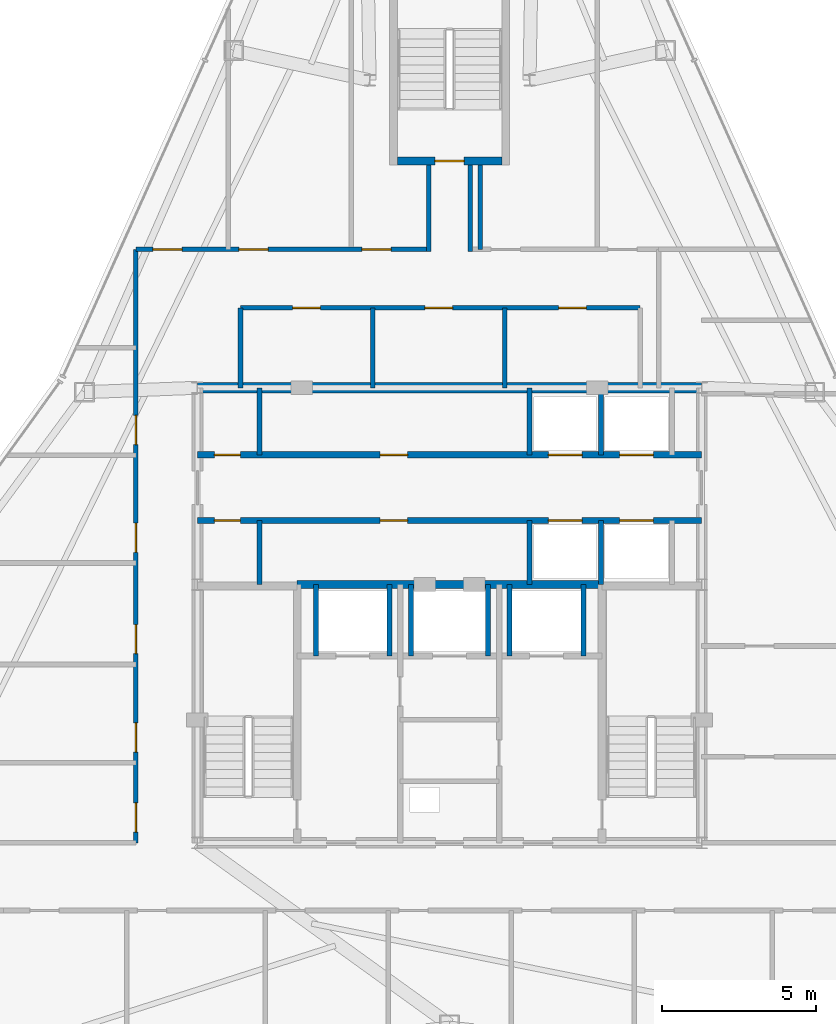
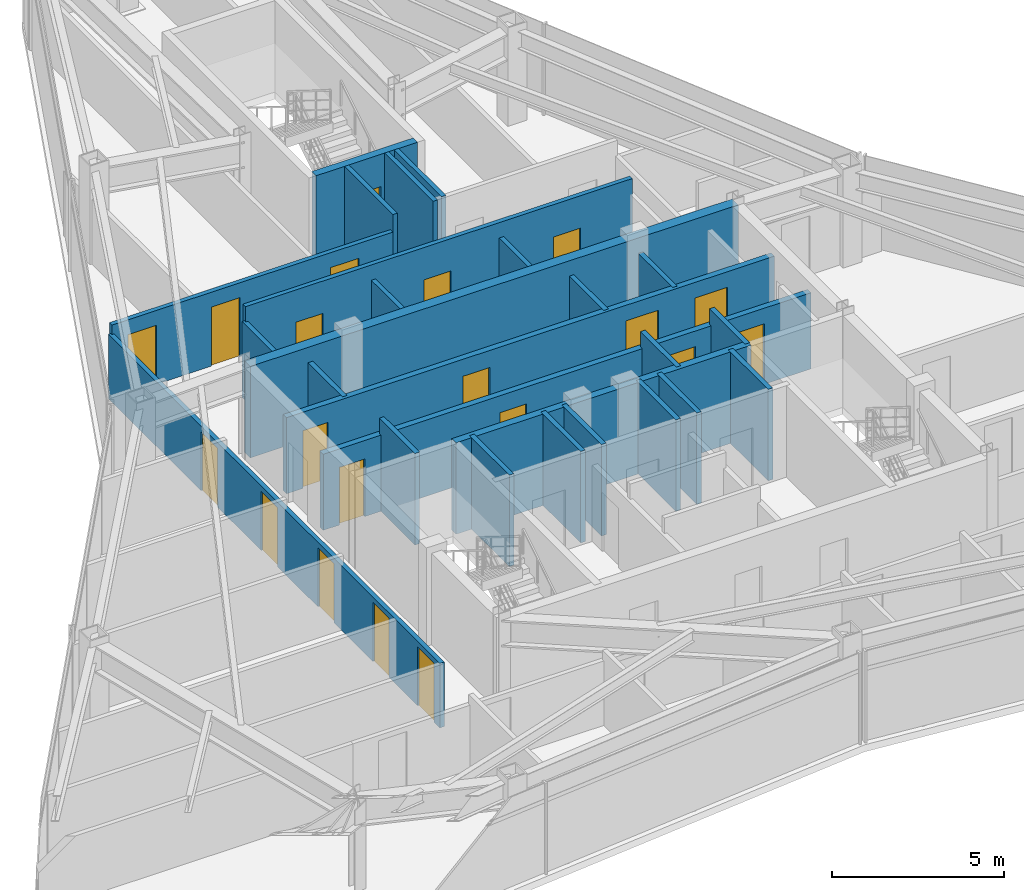
# One storey, part 10 of 12: 26 walls, 20 doors, 20 openings.
"""IFC4 building model written with IfcOpenShell, lengths in metres."""

import ifcopenshell
import ifcopenshell.guid

model = None  # the IFC model being written
_history = None  # IfcOwnerHistory: only IFC2X3 demands one
_inside = {}  # id of a spatial element -> (the spatial element, [elements in it])
_under = {}  # id of a project, library or spatial element -> (it, [spatial elements below it])
_declared = {}  # id of a project -> (the project, [libraries it declares])
_typed = {}  # id of a type object -> (the type object, [elements of that type])
_made_of = {}  # id of a material, layer set ... -> (it, [elements and type objects made of it])


def new_model(schema):
    """Start an empty IFC model of exactly this schema.

    Asked for "IFC4X3", IfcOpenShell would pick the latest addendum, in which some entities
    have other attributes; the version numbers below select the first issue.
    IFC2X3 requires an IfcOwnerHistory on every rooted entity: one is made here for all.
    """
    global model, _history
    if schema == "IFC4X3":
        model = ifcopenshell.file(schema_version=(4, 3, 0, 0))
    else:
        model = ifcopenshell.file(schema=schema)
    _inside.clear()
    _under.clear()
    _declared.clear()
    _typed.clear()
    _made_of.clear()
    _history = None
    if model.schema == "IFC2X3":
        org = make("IfcOrganization", Name="unknown")
        user = make(
            "IfcPersonAndOrganization",
            ThePerson=make("IfcPerson", FamilyName="unknown"),
            TheOrganization=org,
        )
        app = make(
            "IfcApplication",
            ApplicationDeveloper=org,
            Version="unknown",
            ApplicationFullName="unknown",
            ApplicationIdentifier="unknown",
        )
        _history = make(
            "IfcOwnerHistory",
            OwningUser=user,
            OwningApplication=app,
            ChangeAction="ADDED",
            CreationDate=0,
        )
    return model


def make(cls, **values):
    """One entity of the class cls with the attributes given. An attribute that is None is left unset."""
    return model.create_entity(
        cls, **{name: value for name, value in values.items() if value is not None}
    )


def rooted(cls, **values):
    """An entity with a GlobalId (a new one), such as an element, a storey or a relation."""
    return make(cls, GlobalId=ifcopenshell.guid.new(), OwnerHistory=_history, **values)


def si_unit(unit_type, name, prefix=None):
    """IfcSIUnit, for example si_unit("LENGTHUNIT", "METRE", prefix="MILLI")."""
    return make("IfcSIUnit", UnitType=unit_type, Prefix=prefix, Name=name)


def assignment(units):
    """IfcUnitAssignment: the units of a project."""
    return None if units is None else make("IfcUnitAssignment", Units=units)


def point(xyz):
    """IfcCartesianPoint."""
    return None if xyz is None else make("IfcCartesianPoint", Coordinates=xyz)


def direction(xyz):
    """IfcDirection."""
    return None if xyz is None else make("IfcDirection", DirectionRatios=xyz)


def frame(location, z_axis=None, x_axis=None):
    """IfcAxis2Placement3D, a coordinate frame: its origin and axes. An axis left out is left unset."""
    return make(
        "IfcAxis2Placement3D",
        Location=point(location),
        Axis=direction(z_axis),
        RefDirection=direction(x_axis),
    )


def frame_2d(location, x_axis=None):
    """IfcAxis2Placement2D, a coordinate frame in the plane: its origin and x axis."""
    return make(
        "IfcAxis2Placement2D", Location=point(location), RefDirection=direction(x_axis)
    )


def origin():
    """The frame at (0, 0, 0) with its axes left unset."""
    return frame((0.0, 0.0, 0.0))


def place(relative_to, where):
    """IfcLocalPlacement: puts the frame where relative to a parent placement (None: the world)."""
    return make(
        "IfcLocalPlacement", PlacementRelTo=relative_to, RelativePlacement=where
    )


def context(
    kind, dimensions, precision=None, world=None, true_north=None, identifier=None
):
    """IfcGeometricRepresentationContext, for example the 3D "Model" context."""
    return make(
        "IfcGeometricRepresentationContext",
        ContextIdentifier=identifier,
        ContextType=kind,
        CoordinateSpaceDimension=dimensions,
        Precision=precision,
        WorldCoordinateSystem=world,
        TrueNorth=true_north,
    )


def subcontext(parent, identifier, kind, view, scale=None):
    """IfcGeometricRepresentationSubContext, for example "Body" below "Model"."""
    return make(
        "IfcGeometricRepresentationSubContext",
        ContextIdentifier=identifier,
        ContextType=kind,
        ParentContext=parent,
        TargetScale=scale,
        TargetView=view,
    )


def project(units=None, contexts=None):
    """IfcProject with its units and contexts."""
    return rooted(
        "IfcProject",
        Name="project",
        RepresentationContexts=contexts,
        UnitsInContext=assignment(units),
    )


def spatial(cls, under=None, at=None, **own):
    """A site, building, storey or space (cls), placed at a placement, below another one or the project."""
    s = rooted(cls, ObjectPlacement=at, **own)
    if under is not None:
        _under.setdefault(under.id(), (under, []))[1].append(s)
    return s


def profile(cls, at=None, kind="AREA", **sizes):
    """A parametric profile (cls). Its sizes go by their IFC names, for example OverallWidth=200.0."""
    return make(cls, ProfileType=kind, Position=at, **sizes)


def rectangle(**sizes):
    """IfcRectangleProfileDef."""
    return profile("IfcRectangleProfileDef", **sizes)


def extrude(swept, where, along, depth):
    """IfcExtrudedAreaSolid: the profile swept, set in the frame where, extruded along a direction by depth."""
    return make(
        "IfcExtrudedAreaSolid",
        SweptArea=swept,
        Position=where,
        ExtrudedDirection=direction(along),
        Depth=depth,
    )


def shape(context_of_items, identifier, shape_type, items):
    """IfcShapeRepresentation: the items that make up one representation, for example the "Body"."""
    return make(
        "IfcShapeRepresentation",
        ContextOfItems=context_of_items,
        RepresentationIdentifier=identifier,
        RepresentationType=shape_type,
        Items=items,
    )


def material(Name=None, Category=None):
    """IfcMaterial."""
    return make("IfcMaterial", Name=Name, Category=Category)


def layer(
    of_material, thickness, ventilated=None, Name=None, Category=None, Priority=None
):
    """IfcMaterialLayer: one layer of a wall or slab, of a material (None: an air gap)."""
    return make(
        "IfcMaterialLayer",
        Material=of_material,
        LayerThickness=thickness,
        IsVentilated=ventilated,
        Name=Name,
        Category=Category,
        Priority=Priority,
    )


def layer_set(layers, Name=None):
    """IfcMaterialLayerSet."""
    return make("IfcMaterialLayerSet", MaterialLayers=layers, LayerSetName=Name)


def made_of(thing, what):
    """Note that an element or type object is made of a material, layer set ...; save() writes the relation."""
    if what is not None:
        _made_of.setdefault(what.id(), (what, []))[1].append(thing)
    return thing


def type_object(cls, material=None, **own):
    """A type object (cls), such as IfcWallType, which elements share."""
    return made_of(rooted(cls, **own), material)


def element(
    cls,
    number,
    at=None,
    inside=None,
    cuts=None,
    type_object=None,
    material=None,
    context=None,
    identifier="Body",
    shape_type=None,
    held_by="IfcProductDefinitionShape",
    body=None,
    shapes=None,
    **own,
):
    """One element of the class cls, such as IfcWall. Its Tag is "e" and its number.

    at: its placement. inside: the storey or other place that contains it. cuts: it is an
    opening in that element (IfcRelVoidsElement). A single representation is given by context,
    identifier, shape_type and body (its items); several are given by shapes. held_by: the class
    of the entity that holds the representations. save() writes the other relations.
    """
    e = rooted(cls, Tag="e%d" % number, ObjectPlacement=at, **own)
    if body is not None:
        shapes = [shape(context, identifier, shape_type, body)]
    if shapes is not None:
        e.Representation = make(held_by, Representations=shapes)
    if inside is not None:
        _inside.setdefault(inside.id(), (inside, []))[1].append(e)
    if cuts is not None:
        rooted(
            "IfcRelVoidsElement", RelatingBuildingElement=cuts, RelatedOpeningElement=e
        )
    if type_object is not None:
        _typed.setdefault(type_object.id(), (type_object, []))[1].append(e)
    return made_of(e, material)


def fill(opening, filler):
    """IfcRelFillsElement: the door or window that sits in an opening."""
    return rooted(
        "IfcRelFillsElement",
        RelatingOpeningElement=opening,
        RelatedBuildingElement=filler,
    )


def aggregate(whole, parts):
    """IfcRelAggregates: a whole, such as a stair, and the parts it consists of."""
    return rooted("IfcRelAggregates", RelatingObject=whole, RelatedObjects=parts)


def save(model, path):
    """Write the relations noted so far, then the file.

    IfcRelAggregates (storeys below a building ...), IfcRelContainedInSpatialStructure (elements
    in a storey), IfcRelDefinesByType, IfcRelAssociatesMaterial and IfcRelDeclares: one each for
    every whole, place, type object, material and project.
    """
    for whole, parts in _under.values():
        aggregate(whole, parts)
    for where, things in _inside.values():
        rooted(
            "IfcRelContainedInSpatialStructure",
            RelatedElements=things,
            RelatingStructure=where,
        )
    for kind, things in _typed.values():
        rooted("IfcRelDefinesByType", RelatedObjects=things, RelatingType=kind)
    for what, things in _made_of.values():
        rooted("IfcRelAssociatesMaterial", RelatedObjects=things, RelatingMaterial=what)
    for by, libraries in _declared.values():
        rooted("IfcRelDeclares", RelatingContext=by, RelatedDefinitions=libraries)
    model.write(path)


model = new_model("IFC4")

# Units and contexts
model_context = context("Model", 3, precision=1e-05, world=origin(), true_north=direction((0.0, 1.0)))
body_context = subcontext(model_context, "Body", "Model", "MODEL_VIEW")
ifc_project = project(units=[si_unit("LENGTHUNIT", "METRE"), si_unit("AREAUNIT", "SQUARE_METRE"), si_unit("VOLUMEUNIT", "CUBIC_METRE"), si_unit("PLANEANGLEUNIT", "RADIAN"), si_unit("MASSUNIT", "GRAM", prefix="KILO")], contexts=[model_context])

# Site, building, storey
site_placement = place(None, origin())
site = spatial("IfcSite", under=ifc_project, at=site_placement, CompositionType="ELEMENT")
building_placement = place(site_placement, origin())
building = spatial("IfcBuilding", under=site, at=building_placement, Name="Varakhsha Concourse Tower", CompositionType="ELEMENT")
storey_placement = place(building_placement, frame((0.0, 0.0, 258.5)))
storey = spatial("IfcBuildingStorey", under=building, at=storey_placement, Name="L73", CompositionType="ELEMENT", Elevation=258.5)

# Wall
ifc_material_1 = material(Name="Concrete fc 65 MPa", Category="concrete")
ifc_layer_1 = layer(ifc_material_1, 0.35009765625, Name="WL-CORE-350")
ifc_layer_set_1 = layer_set([ifc_layer_1], Name="Concrete fc 65 MPa")
wall_type_1 = type_object("IfcWallType", Name="WL-CORE-350", PredefinedType="SHEAR", material=ifc_layer_set_1)
wall_1_placement = place(storey_placement, frame((31.800048828125, 31.199951171875, 0.0), z_axis=(0.0, 0.0, 1.0), x_axis=(1.0, 0.0, 0.0)))
element("IfcWall", 1, at=wall_1_placement, inside=storey, type_object=wall_type_1, Name="L73 Wall CWALL-N-L73", PredefinedType="SHEAR", context=body_context, shape_type="SweptSolid", body=[
    extrude(rectangle(XDim=16.39990234375, YDim=0.35009765625, at=frame_2d((8.199951171875, 0.0))), origin(), (0.0, 0.0, 1.0), 3.25),
])

# Wall, openings, doors
ifc_material_2 = material(Name="Fire-Rated Type X Gypsum Partition Assembly", Category="gypsum")
ifc_layer_2 = layer(ifc_material_2, 0.14990234375, Name="WL-PART-150")
ifc_layer_set_2 = layer_set([ifc_layer_2], Name="Fire-Rated Type X Gypsum Partition Assembly")
wall_type_2 = type_object("IfcWallType", Name="WL-PART-150", PredefinedType="PARTITIONING", material=ifc_layer_set_2)
wall_2_placement = place(storey_placement, frame((33.199951171875, 33.800048828125, 0.0), z_axis=(0.0, 0.0, 1.0), x_axis=(1.0, 0.0, 0.0)))
wall_2 = element("IfcWall", 2, at=wall_2_placement, inside=storey, type_object=wall_type_2, Name="L73 Wall NBOH-N-L73", PredefinedType="PARTITIONING", context=body_context, shape_type="SweptSolid", body=[
    extrude(rectangle(XDim=13.0, YDim=0.14990234375, at=frame_2d((6.5, 0.0))), origin(), (0.0, 0.0, 1.0), 3.25),
])
opening_1_placement = place(wall_2_placement, frame((1.699951171875, 0.0, 0.0)))
opening_1 = element("IfcOpeningElement", 3, at=opening_1_placement, cuts=wall_2, Name="Opening DF-06", PredefinedType="OPENING", context=body_context, shape_type="SweptSolid", body=[
    extrude(rectangle(XDim=0.89990234375, YDim=2.10009765625, at=frame_2d((0.449951171875, 1.050048828125))), frame((0.0, 0.0849609375, 0.0), z_axis=(0.0, -1.0, 0.0), x_axis=(1.0, 0.0, 0.0)), (0.0, 0.0, 1.0), 0.169921875),
])
opening_2_placement = place(wall_2_placement, frame((6.0, 0.0, 0.0)))
opening_2 = element("IfcOpeningElement", 4, at=opening_2_placement, cuts=wall_2, Name="Opening DF-06", PredefinedType="OPENING", context=body_context, shape_type="SweptSolid", body=[
    extrude(rectangle(XDim=0.89990234375, YDim=2.10009765625, at=frame_2d((0.449951171875, 1.050048828125))), frame((0.0, 0.0849609375, 0.0), z_axis=(0.0, -1.0, 0.0), x_axis=(1.0, 0.0, 0.0)), (0.0, 0.0, 1.0), 0.169921875),
])
opening_3_placement = place(wall_2_placement, frame((10.35009765625, 0.0, 0.0)))
opening_3 = element("IfcOpeningElement", 5, at=opening_3_placement, cuts=wall_2, Name="Opening DF-06", PredefinedType="OPENING", context=body_context, shape_type="SweptSolid", body=[
    extrude(rectangle(XDim=0.89990234375, YDim=2.10009765625, at=frame_2d((0.449951171875, 1.050048828125))), frame((0.0, 0.0849609375, 0.0), z_axis=(0.0, -1.0, 0.0), x_axis=(1.0, 0.0, 0.0)), (0.0, 0.0, 1.0), 0.169921875),
])
ifc_material_3 = material(Name="Hollow Galvanised Steel Fire Door Assembly", Category="steel")
door_type_1 = type_object("IfcDoorType", Name="DR-FD60-900", OperationType="NOTDEFINED", PredefinedType="DOOR", material=ifc_material_3)
door_1_placement = place(opening_1_placement, origin())
door_1 = element("IfcDoor", 6, at=door_1_placement, inside=storey, type_object=door_type_1, Name="L73 Men Restroom WC Door", OperationType="SINGLE_SWING_LEFT", OverallHeight=2.10009765625, OverallWidth=0.89990234375, PredefinedType="DOOR", context=body_context, shape_type="SweptSolid", body=[
    extrude(rectangle(XDim=0.89990234375, YDim=2.10009765625, at=frame_2d((0.449951171875, 1.050048828125))), frame((0.0, 0.02490234375, 0.0), z_axis=(0.0, -1.0, 0.0), x_axis=(1.0, 0.0, 0.0)), (0.0, 0.0, 1.0), 0.050048828125),
])
fill(opening_1, door_1)
door_2_placement = place(opening_2_placement, origin())
door_2 = element("IfcDoor", 7, at=door_2_placement, inside=storey, type_object=door_type_1, Name="L73 Women Restroom WC Door", OperationType="SINGLE_SWING_RIGHT", OverallHeight=2.10009765625, OverallWidth=0.89990234375, PredefinedType="DOOR", context=body_context, shape_type="SweptSolid", body=[
    extrude(rectangle(XDim=0.89990234375, YDim=2.10009765625, at=frame_2d((0.449951171875, 1.050048828125))), frame((0.0, 0.02490234375, 0.0), z_axis=(0.0, -1.0, 0.0), x_axis=(1.0, 0.0, 0.0)), (0.0, 0.0, 1.0), 0.050048828125),
])
fill(opening_2, door_2)
door_3_placement = place(opening_3_placement, origin())
door_3 = element("IfcDoor", 8, at=door_3_placement, inside=storey, type_object=door_type_1, Name="L73 Accessible WC Door", OperationType="SINGLE_SWING_LEFT", OverallHeight=2.10009765625, OverallWidth=0.89990234375, PredefinedType="DOOR", context=body_context, shape_type="SweptSolid", body=[
    extrude(rectangle(XDim=0.89990234375, YDim=2.10009765625, at=frame_2d((0.449951171875, 1.050048828125))), frame((0.0, 0.02490234375, 0.0), z_axis=(0.0, -1.0, 0.0), x_axis=(1.0, 0.0, 0.0)), (0.0, 0.0, 1.0), 0.050048828125),
])
fill(opening_3, door_3)

# Walls
for number, where, z_axis, x_axis, name in (
    (9, (33.199951171875, 31.199951171875, 0.0), (0.0, 0.0, 1.0), (0.0, 1.0, 0.0), "L73 Wall NBOH-W-L73"),
    (10, (37.5, 31.199951171875, 0.0), (0.0, 0.0, 1.0), (0.0, 1.0, 0.0), "L73 Wall NBOH-D1-L73"),
    (11, (41.800048828125, 31.199951171875, 0.0), (0.0, 0.0, 1.0), (0.0, 1.0, 0.0), "L73 Wall NBOH-D2-L73"),
):
    element("IfcWall", number, at=place(storey_placement, frame(where, z_axis=z_axis, x_axis=x_axis)), inside=storey, type_object=wall_type_2, Name=name, PredefinedType="PARTITIONING", context=body_context, shape_type="SweptSolid", body=[
        extrude(rectangle(XDim=2.60009765625, YDim=0.14990234375, at=frame_2d((1.300048828125, 0.0))), origin(), (0.0, 0.0, 1.0), 2.705078125),
    ])

# Wall, openings, doors
wall_3_placement = place(storey_placement, frame((29.800048828125, 16.39990234375, 0.0), z_axis=(0.0, 0.0, 1.0), x_axis=(0.0, 1.0, 0.0)))
wall_3 = element("IfcWall", 12, at=wall_3_placement, inside=storey, type_object=wall_type_2, Name="L73 Wall CRW-W-L73", PredefinedType="PARTITIONING", context=body_context, shape_type="SweptSolid", body=[
    extrude(rectangle(XDim=19.300048828125, YDim=0.14990234375, at=frame_2d((9.64990234375, 0.0))), origin(), (0.0, 0.0, 1.0), 2.2919921875),
])
opening_4_placement = place(wall_3_placement, frame((0.35009765625, 0.0, 0.0)))
opening_4 = element("IfcOpeningElement", 13, at=opening_4_placement, cuts=wall_3, Name="Opening DF-05", PredefinedType="OPENING", context=body_context, shape_type="SweptSolid", body=[
    extrude(rectangle(XDim=0.949951171875, YDim=2.10009765625, at=frame_2d((0.47509765625, 1.050048828125))), frame((0.0, 0.0849609375, 0.0), z_axis=(0.0, -1.0, 0.0), x_axis=(1.0, 0.0, 0.0)), (0.0, 0.0, 1.0), 0.169921875),
])
opening_5_placement = place(wall_3_placement, frame((2.949951171875, 0.0, 0.0)))
opening_5 = element("IfcOpeningElement", 14, at=opening_5_placement, cuts=wall_3, Name="Opening DF-05", PredefinedType="OPENING", context=body_context, shape_type="SweptSolid", body=[
    extrude(rectangle(XDim=0.949951171875, YDim=2.10009765625, at=frame_2d((0.47509765625, 1.050048828125))), frame((0.0, 0.0849609375, 0.0), z_axis=(0.0, -1.0, 0.0), x_axis=(1.0, 0.0, 0.0)), (0.0, 0.0, 1.0), 0.169921875),
])
opening_6_placement = place(wall_3_placement, frame((6.14990234375, 0.0, 0.0)))
opening_6 = element("IfcOpeningElement", 15, at=opening_6_placement, cuts=wall_3, Name="Opening DF-05", PredefinedType="OPENING", context=body_context, shape_type="SweptSolid", body=[
    extrude(rectangle(XDim=0.949951171875, YDim=2.10009765625, at=frame_2d((0.47509765625, 1.050048828125))), frame((0.0, 0.0849609375, 0.0), z_axis=(0.0, -1.0, 0.0), x_axis=(1.0, 0.0, 0.0)), (0.0, 0.0, 1.0), 0.169921875),
])
opening_7_placement = place(wall_3_placement, frame((9.449951171875, 0.0, 0.0)))
opening_7 = element("IfcOpeningElement", 16, at=opening_7_placement, cuts=wall_3, Name="Opening DF-05", PredefinedType="OPENING", context=body_context, shape_type="SweptSolid", body=[
    extrude(rectangle(XDim=0.949951171875, YDim=2.10009765625, at=frame_2d((0.47509765625, 1.050048828125))), frame((0.0, 0.0849609375, 0.0), z_axis=(0.0, -1.0, 0.0), x_axis=(1.0, 0.0, 0.0)), (0.0, 0.0, 1.0), 0.169921875),
])
opening_8_placement = place(wall_3_placement, frame((12.949951171875, 0.0, 0.0)))
opening_8 = element("IfcOpeningElement", 17, at=opening_8_placement, cuts=wall_3, Name="Opening DF-05", PredefinedType="OPENING", context=body_context, shape_type="SweptSolid", body=[
    extrude(rectangle(XDim=0.949951171875, YDim=2.10009765625, at=frame_2d((0.47509765625, 1.050048828125))), frame((0.0, 0.0849609375, 0.0), z_axis=(0.0, -1.0, 0.0), x_axis=(1.0, 0.0, 0.0)), (0.0, 0.0, 1.0), 0.169921875),
])
door_type_2 = type_object("IfcDoorType", Name="DR-FD60-950", OperationType="NOTDEFINED", PredefinedType="DOOR", material=ifc_material_3)
door_4_placement = place(opening_4_placement, origin())
door_4 = element("IfcDoor", 18, at=door_4_placement, inside=storey, type_object=door_type_2, Name="L73 Lab Staff Refreshment Kitchen L73 Door", OperationType="SINGLE_SWING_RIGHT", OverallHeight=2.10009765625, OverallWidth=0.949951171875, PredefinedType="DOOR", context=body_context, shape_type="SweptSolid", body=[
    extrude(rectangle(XDim=0.949951171875, YDim=2.10009765625, at=frame_2d((0.47509765625, 1.050048828125))), frame((0.0, 0.02490234375, 0.0), z_axis=(0.0, -1.0, 0.0), x_axis=(1.0, 0.0, 0.0)), (0.0, 0.0, 1.0), 0.050048828125),
])
fill(opening_4, door_4)
door_5_placement = place(opening_5_placement, origin())
door_5 = element("IfcDoor", 19, at=door_5_placement, inside=storey, type_object=door_type_2, Name="L73 Dry R&D Design Lab L73-W2 Door", OperationType="SINGLE_SWING_LEFT", OverallHeight=2.10009765625, OverallWidth=0.949951171875, PredefinedType="DOOR", context=body_context, shape_type="SweptSolid", body=[
    extrude(rectangle(XDim=0.949951171875, YDim=2.10009765625, at=frame_2d((0.47509765625, 1.050048828125))), frame((0.0, 0.02490234375, 0.0), z_axis=(0.0, -1.0, 0.0), x_axis=(1.0, 0.0, 0.0)), (0.0, 0.0, 1.0), 0.050048828125),
])
fill(opening_5, door_5)
door_6_placement = place(opening_6_placement, origin())
door_6 = element("IfcDoor", 20, at=door_6_placement, inside=storey, type_object=door_type_2, Name="L73 Dry R&D Design Lab L73-W3 Door", OperationType="SINGLE_SWING_RIGHT", OverallHeight=2.10009765625, OverallWidth=0.949951171875, PredefinedType="DOOR", context=body_context, shape_type="SweptSolid", body=[
    extrude(rectangle(XDim=0.949951171875, YDim=2.10009765625, at=frame_2d((0.47509765625, 1.050048828125))), frame((0.0, 0.02490234375, 0.0), z_axis=(0.0, -1.0, 0.0), x_axis=(1.0, 0.0, 0.0)), (0.0, 0.0, 1.0), 0.050048828125),
])
fill(opening_6, door_6)
door_7_placement = place(opening_7_placement, origin())
door_7 = element("IfcDoor", 21, at=door_7_placement, inside=storey, type_object=door_type_2, Name="L73 Dry R&D Design Lab L73-W4 Door", OperationType="SINGLE_SWING_LEFT", OverallHeight=2.10009765625, OverallWidth=0.949951171875, PredefinedType="DOOR", context=body_context, shape_type="SweptSolid", body=[
    extrude(rectangle(XDim=0.949951171875, YDim=2.10009765625, at=frame_2d((0.47509765625, 1.050048828125))), frame((0.0, 0.02490234375, 0.0), z_axis=(0.0, -1.0, 0.0), x_axis=(1.0, 0.0, 0.0)), (0.0, 0.0, 1.0), 0.050048828125),
])
fill(opening_7, door_7)
door_8_placement = place(opening_8_placement, origin())
door_8 = element("IfcDoor", 22, at=door_8_placement, inside=storey, type_object=door_type_2, Name="L73 Dry R&D Design Lab L73-W5 Door", OperationType="SINGLE_SWING_RIGHT", OverallHeight=2.10009765625, OverallWidth=0.949951171875, PredefinedType="DOOR", context=body_context, shape_type="SweptSolid", body=[
    extrude(rectangle(XDim=0.949951171875, YDim=2.10009765625, at=frame_2d((0.47509765625, 1.050048828125))), frame((0.0, 0.02490234375, 0.0), z_axis=(0.0, -1.0, 0.0), x_axis=(1.0, 0.0, 0.0)), (0.0, 0.0, 1.0), 0.050048828125),
])
fill(opening_8, door_8)

wall_4_placement = place(storey_placement, frame((29.800048828125, 35.699951171875, 0.0), z_axis=(0.0, 0.0, 1.0), x_axis=(1.0, 0.0, 0.0)))
wall_4 = element("IfcWall", 23, at=wall_4_placement, inside=storey, type_object=wall_type_2, Name="L73 Wall CRW-N-L73", PredefinedType="PARTITIONING", context=body_context, shape_type="SweptSolid", body=[
    extrude(rectangle(XDim=9.449951171875, YDim=0.14990234375, at=frame_2d((4.72509765625, 0.0))), origin(), (0.0, 0.0, 1.0), 2.6279296875),
])
opening_9_placement = place(wall_4_placement, frame((0.550048828125, 0.0, 0.0)))
opening_9 = element("IfcOpeningElement", 24, at=opening_9_placement, cuts=wall_4, Name="Opening DF-05", PredefinedType="OPENING", context=body_context, shape_type="SweptSolid", body=[
    extrude(rectangle(XDim=0.949951171875, YDim=2.10009765625, at=frame_2d((0.47509765625, 1.050048828125))), frame((0.0, 0.0849609375, 0.0), z_axis=(0.0, -1.0, 0.0), x_axis=(1.0, 0.0, 0.0)), (0.0, 0.0, 1.0), 0.169921875),
])
opening_10_placement = place(wall_4_placement, frame((3.35009765625, 0.0, 0.0)))
opening_10 = element("IfcOpeningElement", 25, at=opening_10_placement, cuts=wall_4, Name="Opening DF-05", PredefinedType="OPENING", context=body_context, shape_type="SweptSolid", body=[
    extrude(rectangle(XDim=0.949951171875, YDim=2.10009765625, at=frame_2d((0.47509765625, 1.050048828125))), frame((0.0, 0.0849609375, 0.0), z_axis=(0.0, -1.0, 0.0), x_axis=(1.0, 0.0, 0.0)), (0.0, 0.0, 1.0), 0.169921875),
])
opening_11_placement = place(wall_4_placement, frame((7.35009765625, 0.0, 0.0)))
opening_11 = element("IfcOpeningElement", 26, at=opening_11_placement, cuts=wall_4, Name="Opening DF-05", PredefinedType="OPENING", context=body_context, shape_type="SweptSolid", body=[
    extrude(rectangle(XDim=0.949951171875, YDim=2.10009765625, at=frame_2d((0.47509765625, 1.050048828125))), frame((0.0, 0.0849609375, 0.0), z_axis=(0.0, -1.0, 0.0), x_axis=(1.0, 0.0, 0.0)), (0.0, 0.0, 1.0), 0.169921875),
])
door_9_placement = place(opening_9_placement, origin())
door_9 = element("IfcDoor", 27, at=door_9_placement, inside=storey, type_object=door_type_2, Name="L73 Mountain View BIM Coordination Workroom L73-N1 Door", OperationType="SINGLE_SWING_LEFT", OverallHeight=2.10009765625, OverallWidth=0.949951171875, PredefinedType="DOOR", context=body_context, shape_type="SweptSolid", body=[
    extrude(rectangle(XDim=0.949951171875, YDim=2.10009765625, at=frame_2d((0.47509765625, 1.050048828125))), frame((0.0, 0.02490234375, 0.0), z_axis=(0.0, -1.0, 0.0), x_axis=(1.0, 0.0, 0.0)), (0.0, 0.0, 1.0), 0.050048828125),
])
fill(opening_9, door_9)
door_10_placement = place(opening_10_placement, origin())
door_10 = element("IfcDoor", 28, at=door_10_placement, inside=storey, type_object=door_type_2, Name="L73 North Dry R&D Design Lab L73-N2 Door", OperationType="SINGLE_SWING_RIGHT", OverallHeight=2.10009765625, OverallWidth=0.949951171875, PredefinedType="DOOR", context=body_context, shape_type="SweptSolid", body=[
    extrude(rectangle(XDim=0.949951171875, YDim=2.10009765625, at=frame_2d((0.47509765625, 1.050048828125))), frame((0.0, 0.02490234375, 0.0), z_axis=(0.0, -1.0, 0.0), x_axis=(1.0, 0.0, 0.0)), (0.0, 0.0, 1.0), 0.050048828125),
])
fill(opening_10, door_10)
door_11_placement = place(opening_11_placement, origin())
door_11 = element("IfcDoor", 29, at=door_11_placement, inside=storey, type_object=door_type_2, Name="L73 North Dry R&D Design Lab L73-N3 Door", OperationType="SINGLE_SWING_LEFT", OverallHeight=2.10009765625, OverallWidth=0.949951171875, PredefinedType="DOOR", context=body_context, shape_type="SweptSolid", body=[
    extrude(rectangle(XDim=0.949951171875, YDim=2.10009765625, at=frame_2d((0.47509765625, 1.050048828125))), frame((0.0, 0.02490234375, 0.0), z_axis=(0.0, -1.0, 0.0), x_axis=(1.0, 0.0, 0.0)), (0.0, 0.0, 1.0), 0.050048828125),
])
fill(opening_11, door_11)

# Walls
wall_5_placement = place(storey_placement, frame((41.0, 35.699951171875, 0.0), z_axis=(0.0, 0.0, 1.0), x_axis=(0.0, 1.0, 0.0)))
element("IfcWall", 30, at=wall_5_placement, inside=storey, type_object=wall_type_2, Name="L73 Wall ODIV-N3-L73", PredefinedType="PARTITIONING", context=body_context, shape_type="SweptSolid", body=[
    extrude(rectangle(XDim=2.75, YDim=0.14990234375, at=frame_2d((1.375, 0.0))), origin(), (0.0, 0.0, 1.0), 3.25),
])
for number, where, z_axis, x_axis, name in (
    (31, (39.324951171875, 35.625, 0.0), (0.0, 0.0, 1.0), (0.0, 1.0, 0.0), "L73 Wall STUB-W-L73"),
    (32, (40.675048828125, 35.625, 0.0), (0.0, 0.0, 1.0), (0.0, 1.0, 0.0), "L73 Wall STUB-E-L73"),
):
    element("IfcWall", number, at=place(storey_placement, frame(where, z_axis=z_axis, x_axis=x_axis)), inside=storey, type_object=wall_type_2, Name=name, PredefinedType="PARTITIONING", context=body_context, shape_type="SweptSolid", body=[
        extrude(rectangle(XDim=2.824951171875, YDim=0.14990234375, at=frame_2d((1.41259765625, 0.0))), origin(), (0.0, 0.0, 1.0), 3.25),
    ])
ifc_layer_3 = layer(ifc_material_2, 0.199951171875, Name="WL-SHAFT-220")
ifc_layer_set_3 = layer_set([ifc_layer_3], Name="Fire-Rated Type X Gypsum Partition Assembly")
wall_type_3 = type_object("IfcWallType", Name="WL-SHAFT-220", PredefinedType="SOLIDWALL", material=ifc_layer_set_3)
for number, where, z_axis, x_axis, name in (
    (33, (35.64990234375, 22.47998046875, 0.0), (0.0, 0.0, 1.0), (0.0, 1.0, 0.0), "L73 Wall SHW-FFL-1-W-L73"),
    (34, (38.050048828125, 22.47998046875, 0.0), (0.0, 0.0, 1.0), (0.0, 1.0, 0.0), "L73 Wall SHW-FFL-1-E-L73"),
    (35, (41.949951171875, 22.47998046875, 0.0), (0.0, 0.0, 1.0), (0.0, 1.0, 0.0), "L73 Wall SHW-FFL-2-W-L73"),
    (36, (44.35009765625, 22.47998046875, 0.0), (0.0, 0.0, 1.0), (0.0, 1.0, 0.0), "L73 Wall SHW-FFL-2-E-L73"),
    (37, (38.75, 22.47998046875, 0.0), (0.0, 0.0, 1.0), (0.0, 1.0, 0.0), "L73 Wall SHW-SVL-1-W-L73"),
    (38, (41.25, 22.47998046875, 0.0), (0.0, 0.0, 1.0), (0.0, 1.0, 0.0), "L73 Wall SHW-SVL-1-E-L73"),
):
    element("IfcWall", number, at=place(storey_placement, frame(where, z_axis=z_axis, x_axis=x_axis)), inside=storey, type_object=wall_type_3, Name=name, PredefinedType="SOLIDWALL", context=body_context, shape_type="SweptSolid", body=[
        extrude(rectangle(XDim=2.320068359375, YDim=0.159912109375, at=frame_2d((1.16015625, 0.0))), origin(), (0.0, 0.0, 1.0), 3.25),
    ])

# Wall, openings, doors
wall_6_placement = place(storey_placement, frame((31.800048828125, 29.02001953125, 0.0), z_axis=(0.0, 0.0, 1.0), x_axis=(1.0, 0.0, 0.0)))
wall_6 = element("IfcWall", 39, at=wall_6_placement, inside=storey, type_object=wall_type_3, Name="L73 Wall PLW-N-L73", PredefinedType="SOLIDWALL", context=body_context, shape_type="SweptSolid", body=[
    extrude(rectangle(XDim=16.39990234375, YDim=0.199951171875, at=frame_2d((8.199951171875, 0.0))), origin(), (0.0, 0.0, 1.0), 2.705078125),
])
opening_12_placement = place(wall_6_placement, frame((0.550048828125, 0.0, 0.0)))
opening_12 = element("IfcOpeningElement", 40, at=opening_12_placement, cuts=wall_6, Name="Opening DF-07", PredefinedType="OPENING", context=body_context, shape_type="SweptSolid", body=[
    extrude(rectangle(XDim=0.85009765625, YDim=2.050048828125, at=frame_2d((0.425048828125, 1.02490234375))), frame((0.0, 0.10986328125, 0.0), z_axis=(0.0, -1.0, 0.0), x_axis=(1.0, 0.0, 0.0)), (0.0, 0.0, 1.0), 0.219970703125),
])
opening_13_placement = place(wall_6_placement, frame((5.93994140625, 0.0, 0.0)))
opening_13 = element("IfcOpeningElement", 41, at=opening_13_placement, cuts=wall_6, Name="Opening DF-06", PredefinedType="OPENING", context=body_context, shape_type="SweptSolid", body=[
    extrude(rectangle(XDim=0.89990234375, YDim=2.10009765625, at=frame_2d((0.449951171875, 1.050048828125))), frame((0.0, 0.10986328125, 0.0), z_axis=(0.0, -1.0, 0.0), x_axis=(1.0, 0.0, 0.0)), (0.0, 0.0, 1.0), 0.219970703125),
])
opening_14_placement = place(wall_6_placement, frame((11.409912109375, 0.0, 0.0)))
opening_14 = element("IfcOpeningElement", 42, at=opening_14_placement, cuts=wall_6, Name="Opening LD-LF-P09", PredefinedType="OPENING", context=body_context, shape_type="SweptSolid", body=[
    extrude(rectangle(XDim=1.10009765625, YDim=2.14990234375, at=frame_2d((0.550048828125, 1.074951171875))), frame((0.0, 0.10986328125, 0.0), z_axis=(0.0, -1.0, 0.0), x_axis=(1.0, 0.0, 0.0)), (0.0, 0.0, 1.0), 0.219970703125),
])
opening_15_placement = place(wall_6_placement, frame((13.72998046875, 0.0, 0.0)))
opening_15 = element("IfcOpeningElement", 43, at=opening_15_placement, cuts=wall_6, Name="Opening LD-LF-P10", PredefinedType="OPENING", context=body_context, shape_type="SweptSolid", body=[
    extrude(rectangle(XDim=1.10009765625, YDim=2.14990234375, at=frame_2d((0.550048828125, 1.074951171875))), frame((0.0, 0.10986328125, 0.0), z_axis=(0.0, -1.0, 0.0), x_axis=(1.0, 0.0, 0.0)), (0.0, 0.0, 1.0), 0.219970703125),
])
door_type_3 = type_object("IfcDoorType", Name="DR-FD60-850", OperationType="NOTDEFINED", PredefinedType="DOOR", material=ifc_material_3)
door_12_placement = place(opening_12_placement, origin())
door_12 = element("IfcDoor", 44, at=door_12_placement, inside=storey, type_object=door_type_3, Name="L73 Core Janitor Closet Door", OperationType="SINGLE_SWING_LEFT", OverallHeight=2.050048828125, OverallWidth=0.85009765625, PredefinedType="DOOR", context=body_context, shape_type="SweptSolid", body=[
    extrude(rectangle(XDim=0.85009765625, YDim=2.050048828125, at=frame_2d((0.425048828125, 1.02490234375))), frame((0.0, 0.02490234375, 0.0), z_axis=(0.0, -1.0, 0.0), x_axis=(1.0, 0.0, 0.0)), (0.0, 0.0, 1.0), 0.050048828125),
])
fill(opening_12, door_12)
door_13_placement = place(opening_13_placement, origin())
door_13 = element("IfcDoor", 45, at=door_13_placement, inside=storey, type_object=door_type_1, Name="L73 Tenant Archive and IT Server Room Door", OperationType="SINGLE_SWING_LEFT", OverallHeight=2.10009765625, OverallWidth=0.89990234375, PredefinedType="DOOR", context=body_context, shape_type="SweptSolid", body=[
    extrude(rectangle(XDim=0.89990234375, YDim=2.10009765625, at=frame_2d((0.449951171875, 1.050048828125))), frame((0.0, 0.02490234375, 0.0), z_axis=(0.0, -1.0, 0.0), x_axis=(1.0, 0.0, 0.0)), (0.0, 0.0, 1.0), 0.050048828125),
])
fill(opening_13, door_13)
ifc_material_4 = material(Name="Brushed Austenitic Stainless Steel AISI 316", Category="steel")
door_type_4 = type_object("IfcDoorType", Name="DR-LD-1100", OperationType="DOUBLE_DOOR_SLIDING", PredefinedType="DOOR", material=ifc_material_4)
door_14_placement = place(opening_14_placement, origin())
door_14 = element("IfcDoor", 46, at=door_14_placement, inside=storey, type_object=door_type_4, Name="Lift Landing Door LF-P09 L73", OperationType="DOUBLE_DOOR_SLIDING", OverallHeight=2.14990234375, OverallWidth=1.10009765625, PredefinedType="DOOR", context=body_context, shape_type="SweptSolid", body=[
    extrude(rectangle(XDim=1.10009765625, YDim=2.14990234375, at=frame_2d((0.550048828125, 1.074951171875))), frame((0.0, 0.02490234375, 0.0), z_axis=(0.0, -1.0, 0.0), x_axis=(1.0, 0.0, 0.0)), (0.0, 0.0, 1.0), 0.050048828125),
])
fill(opening_14, door_14)
door_15_placement = place(opening_15_placement, origin())
door_15 = element("IfcDoor", 47, at=door_15_placement, inside=storey, type_object=door_type_4, Name="Lift Landing Door LF-P10 L73", OperationType="DOUBLE_DOOR_SLIDING", OverallHeight=2.14990234375, OverallWidth=1.10009765625, PredefinedType="DOOR", context=body_context, shape_type="SweptSolid", body=[
    extrude(rectangle(XDim=1.10009765625, YDim=2.14990234375, at=frame_2d((0.550048828125, 1.074951171875))), frame((0.0, 0.02490234375, 0.0), z_axis=(0.0, -1.0, 0.0), x_axis=(1.0, 0.0, 0.0)), (0.0, 0.0, 1.0), 0.050048828125),
])
fill(opening_15, door_15)

wall_7_placement = place(storey_placement, frame((31.800048828125, 26.8798828125, 0.0), z_axis=(0.0, 0.0, 1.0), x_axis=(1.0, 0.0, 0.0)))
wall_7 = element("IfcWall", 48, at=wall_7_placement, inside=storey, type_object=wall_type_3, Name="L73 Wall PLW-S-L73", PredefinedType="SOLIDWALL", context=body_context, shape_type="SweptSolid", body=[
    extrude(rectangle(XDim=16.39990234375, YDim=0.199951171875, at=frame_2d((8.199951171875, 0.0))), origin(), (0.0, 0.0, 1.0), 2.705078125),
])
opening_16_placement = place(wall_7_placement, frame((0.550048828125, 0.0, 0.0)))
opening_16 = element("IfcOpeningElement", 49, at=opening_16_placement, cuts=wall_7, Name="Opening DF-07", PredefinedType="OPENING", context=body_context, shape_type="SweptSolid", body=[
    extrude(rectangle(XDim=0.85009765625, YDim=2.050048828125, at=frame_2d((0.425048828125, 1.02490234375))), frame((0.0, 0.10986328125, 0.0), z_axis=(0.0, -1.0, 0.0), x_axis=(1.0, 0.0, 0.0)), (0.0, 0.0, 1.0), 0.219970703125),
])
opening_17_placement = place(wall_7_placement, frame((5.93994140625, 0.0, 0.0)))
opening_17 = element("IfcOpeningElement", 50, at=opening_17_placement, cuts=wall_7, Name="Opening DF-06", PredefinedType="OPENING", context=body_context, shape_type="SweptSolid", body=[
    extrude(rectangle(XDim=0.89990234375, YDim=2.10009765625, at=frame_2d((0.449951171875, 1.050048828125))), frame((0.0, 0.10986328125, 0.0), z_axis=(0.0, -1.0, 0.0), x_axis=(1.0, 0.0, 0.0)), (0.0, 0.0, 1.0), 0.219970703125),
])
opening_18_placement = place(wall_7_placement, frame((11.409912109375, 0.0, 0.0)))
opening_18 = element("IfcOpeningElement", 51, at=opening_18_placement, cuts=wall_7, Name="Opening LD-LF-P11", PredefinedType="OPENING", context=body_context, shape_type="SweptSolid", body=[
    extrude(rectangle(XDim=1.10009765625, YDim=2.14990234375, at=frame_2d((0.550048828125, 1.074951171875))), frame((0.0, 0.10986328125, 0.0), z_axis=(0.0, -1.0, 0.0), x_axis=(1.0, 0.0, 0.0)), (0.0, 0.0, 1.0), 0.219970703125),
])
opening_19_placement = place(wall_7_placement, frame((13.72998046875, 0.0, 0.0)))
opening_19 = element("IfcOpeningElement", 52, at=opening_19_placement, cuts=wall_7, Name="Opening LD-LF-P12", PredefinedType="OPENING", context=body_context, shape_type="SweptSolid", body=[
    extrude(rectangle(XDim=1.10009765625, YDim=2.14990234375, at=frame_2d((0.550048828125, 1.074951171875))), frame((0.0, 0.10986328125, 0.0), z_axis=(0.0, -1.0, 0.0), x_axis=(1.0, 0.0, 0.0)), (0.0, 0.0, 1.0), 0.219970703125),
])
door_16_placement = place(opening_16_placement, origin())
door_16 = element("IfcDoor", 53, at=door_16_placement, inside=storey, type_object=door_type_3, Name="L73 Core Telecoms Closet Door", OperationType="SINGLE_SWING_RIGHT", OverallHeight=2.050048828125, OverallWidth=0.85009765625, PredefinedType="DOOR", context=body_context, shape_type="SweptSolid", body=[
    extrude(rectangle(XDim=0.85009765625, YDim=2.050048828125, at=frame_2d((0.425048828125, 1.02490234375))), frame((0.0, 0.02490234375, 0.0), z_axis=(0.0, -1.0, 0.0), x_axis=(1.0, 0.0, 0.0)), (0.0, 0.0, 1.0), 0.050048828125),
])
fill(opening_16, door_16)
door_17_placement = place(opening_17_placement, origin())
door_17 = element("IfcDoor", 54, at=door_17_placement, inside=storey, type_object=door_type_1, Name="L73 Executive Pantry and Copy Suite Door", OperationType="SINGLE_SWING_RIGHT", OverallHeight=2.10009765625, OverallWidth=0.89990234375, PredefinedType="DOOR", context=body_context, shape_type="SweptSolid", body=[
    extrude(rectangle(XDim=0.89990234375, YDim=2.10009765625, at=frame_2d((0.449951171875, 1.050048828125))), frame((0.0, 0.02490234375, 0.0), z_axis=(0.0, -1.0, 0.0), x_axis=(1.0, 0.0, 0.0)), (0.0, 0.0, 1.0), 0.050048828125),
])
fill(opening_17, door_17)
door_18_placement = place(opening_18_placement, origin())
door_18 = element("IfcDoor", 55, at=door_18_placement, inside=storey, type_object=door_type_4, Name="Lift Landing Door LF-P11 L73", OperationType="DOUBLE_DOOR_SLIDING", OverallHeight=2.14990234375, OverallWidth=1.10009765625, PredefinedType="DOOR", context=body_context, shape_type="SweptSolid", body=[
    extrude(rectangle(XDim=1.10009765625, YDim=2.14990234375, at=frame_2d((0.550048828125, 1.074951171875))), frame((0.0, 0.02490234375, 0.0), z_axis=(0.0, -1.0, 0.0), x_axis=(1.0, 0.0, 0.0)), (0.0, 0.0, 1.0), 0.050048828125),
])
fill(opening_18, door_18)
door_19_placement = place(opening_19_placement, origin())
door_19 = element("IfcDoor", 56, at=door_19_placement, inside=storey, type_object=door_type_4, Name="Lift Landing Door LF-P12 L73", OperationType="DOUBLE_DOOR_SLIDING", OverallHeight=2.14990234375, OverallWidth=1.10009765625, PredefinedType="DOOR", context=body_context, shape_type="SweptSolid", body=[
    extrude(rectangle(XDim=1.10009765625, YDim=2.14990234375, at=frame_2d((0.550048828125, 1.074951171875))), frame((0.0, 0.02490234375, 0.0), z_axis=(0.0, -1.0, 0.0), x_axis=(1.0, 0.0, 0.0)), (0.0, 0.0, 1.0), 0.050048828125),
])
fill(opening_19, door_19)

# Walls
wall_8_placement = place(storey_placement, frame((33.820068359375, 29.02001953125, 0.0), z_axis=(0.0, 0.0, 1.0), x_axis=(0.0, 1.0, 0.0)))
element("IfcWall", 57, at=wall_8_placement, inside=storey, type_object=wall_type_3, Name="L73 Wall WBOH-E1-L73", PredefinedType="SOLIDWALL", context=body_context, shape_type="SweptSolid", body=[
    extrude(rectangle(XDim=2.179931640625, YDim=0.159912109375, at=frame_2d((1.08984375, 0.0))), origin(), (0.0, 0.0, 1.0), 2.705078125),
])
wall_9_placement = place(storey_placement, frame((33.820068359375, 24.800048828125, 0.0), z_axis=(0.0, 0.0, 1.0), x_axis=(0.0, 1.0, 0.0)))
element("IfcWall", 58, at=wall_9_placement, inside=storey, type_object=wall_type_3, Name="L73 Wall WBOH-E2-L73", PredefinedType="SOLIDWALL", context=body_context, shape_type="SweptSolid", body=[
    extrude(rectangle(XDim=2.079833984375, YDim=0.159912109375, at=frame_2d((1.0400390625, 0.0))), origin(), (0.0, 0.0, 1.0), 3.25),
])
for number, where, z_axis, x_axis, name in (
    (59, (42.60009765625, 29.02001953125, 0.0), (0.0, 0.0, 1.0), (0.0, 1.0, 0.0), "L73 Wall SHW-LF-P09-W-L73"),
    (60, (44.919921875, 29.02001953125, 0.0), (0.0, 0.0, 1.0), (0.0, 1.0, 0.0), "L73 Wall SHW-LF-P09-E-L73"),
):
    element("IfcWall", number, at=place(storey_placement, frame(where, z_axis=z_axis, x_axis=x_axis)), inside=storey, type_object=wall_type_3, Name=name, PredefinedType="SOLIDWALL", context=body_context, shape_type="SweptSolid", body=[
        extrude(rectangle(XDim=2.179931640625, YDim=0.159912109375, at=frame_2d((1.08984375, 0.0))), origin(), (0.0, 0.0, 1.0), 2.705078125),
    ])
for number, where, z_axis, x_axis, name in (
    (61, (42.60009765625, 24.800048828125, 0.0), (0.0, 0.0, 1.0), (0.0, 1.0, 0.0), "L73 Wall SHW-LF-P11-W-L73"),
    (62, (44.919921875, 24.800048828125, 0.0), (0.0, 0.0, 1.0), (0.0, 1.0, 0.0), "L73 Wall SHW-LF-P11-E-L73"),
):
    element("IfcWall", number, at=place(storey_placement, frame(where, z_axis=z_axis, x_axis=x_axis)), inside=storey, type_object=wall_type_3, Name=name, PredefinedType="SOLIDWALL", context=body_context, shape_type="SweptSolid", body=[
        extrude(rectangle(XDim=2.079833984375, YDim=0.159912109375, at=frame_2d((1.0400390625, 0.0))), origin(), (0.0, 0.0, 1.0), 3.25),
    ])
ifc_material_5 = material(Name="Concrete fc 45 MPa", Category="concrete")
ifc_layer_4 = layer(ifc_material_5, 0.25, Name="WL-STAIR-250")
ifc_layer_set_4 = layer_set([ifc_layer_4], Name="Concrete fc 45 MPa")
wall_type_4 = type_object("IfcWallType", Name="WL-STAIR-250", PredefinedType="SHEAR", material=ifc_layer_set_4)
wall_10_placement = place(storey_placement, frame((35.044921875, 24.800048828125, 0.0), z_axis=(0.0, 0.0, 1.0), x_axis=(1.0, 0.0, 0.0)))
element("IfcWall", 63, at=wall_10_placement, inside=storey, type_object=wall_type_4, Name="L73 Wall SWALL-MID-H-L73", PredefinedType="SHEAR", context=body_context, shape_type="SweptSolid", body=[
    extrude(rectangle(XDim=9.91015625, YDim=0.25, at=frame_2d((4.955078125, 0.0))), origin(), (0.0, 0.0, 1.0), 3.25),
])

# Wall, opening, door
wall_11_placement = place(storey_placement, frame((38.300048828125, 38.574951171875, 0.0), z_axis=(0.0, 0.0, 1.0), x_axis=(1.0, 0.0, 0.0)))
wall_11 = element("IfcWall", 64, at=wall_11_placement, inside=storey, type_object=wall_type_4, Name="L73 Wall SWALL-ST5-S-L73", PredefinedType="SHEAR", context=body_context, shape_type="SweptSolid", body=[
    extrude(rectangle(XDim=3.39990234375, YDim=0.25, at=frame_2d((1.699951171875, 0.0))), origin(), (0.0, 0.0, 1.0), 3.25),
])
opening_20_placement = place(wall_11_placement, frame((1.22509765625, 0.0, 0.0)))
opening_20 = element("IfcOpeningElement", 65, at=opening_20_placement, cuts=wall_11, Name="Opening DF-03", PredefinedType="OPENING", context=body_context, shape_type="SweptSolid", body=[
    extrude(rectangle(XDim=0.949951171875, YDim=2.10009765625, at=frame_2d((0.47509765625, 1.050048828125))), frame((0.0, 0.135009765625, 0.0), z_axis=(0.0, -1.0, 0.0), x_axis=(1.0, 0.0, 0.0)), (0.0, 0.0, 1.0), 0.27001953125),
])
door_type_5 = type_object("IfcDoorType", Name="DR-FD90-950", OperationType="NOTDEFINED", PredefinedType="DOOR", material=ifc_material_3)
door_20_placement = place(opening_20_placement, origin())
door_20 = element("IfcDoor", 66, at=door_20_placement, inside=storey, type_object=door_type_5, Name="L73 Stair ST5 Fire Door", OperationType="SINGLE_SWING_RIGHT", OverallHeight=2.10009765625, OverallWidth=0.949951171875, PredefinedType="DOOR", context=body_context, shape_type="SweptSolid", body=[
    extrude(rectangle(XDim=0.949951171875, YDim=2.10009765625, at=frame_2d((0.47509765625, 1.050048828125))), frame((0.0, 0.02490234375, 0.0), z_axis=(0.0, -1.0, 0.0), x_axis=(1.0, 0.0, 0.0)), (0.0, 0.0, 1.0), 0.050048828125),
])
fill(opening_20, door_20)

save(model, "model.ifc")
